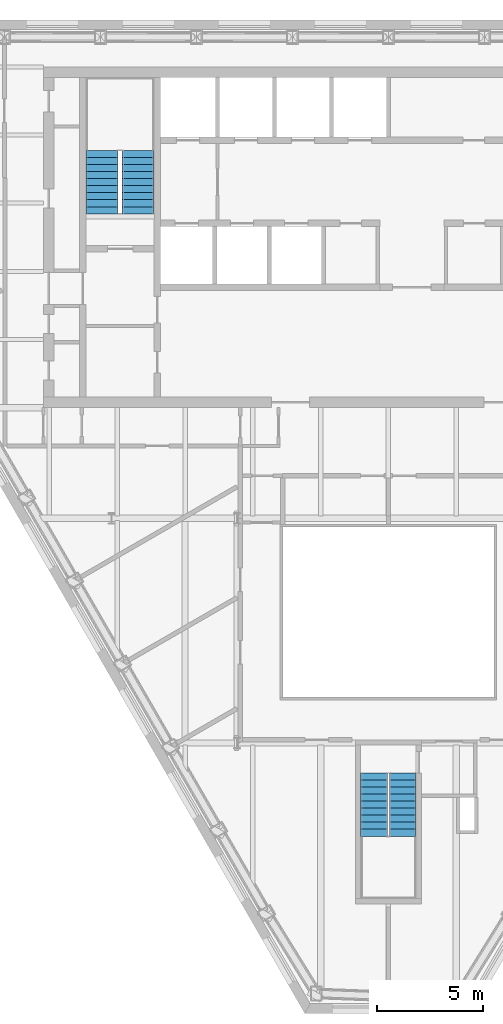
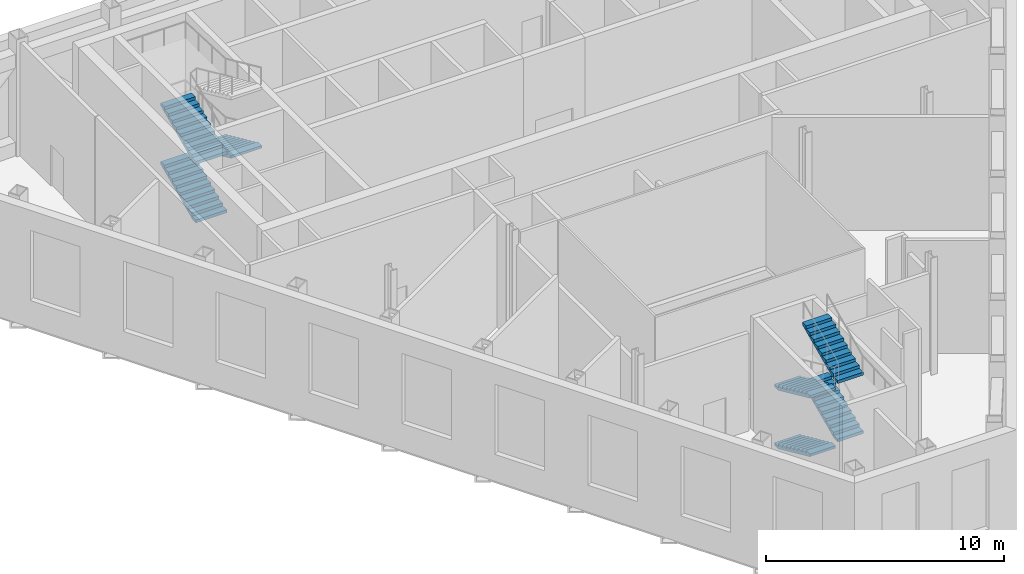
# One storey, part 11 of 13: 7 stair flights, 2 elements without a shape of their own.
"""IFC4 building model written with IfcOpenShell, lengths in metres."""

from ifc_helpers import new_model, si_unit, direction, frame, origin, place, context, subcontext, project, spatial, polygons, material, type_object, element, aggregate, save


model = new_model("IFC4")

# Units and contexts
model_context = context("Model", 3, precision=1e-05, world=origin(), true_north=direction((0.0, 1.0)))
body_context = subcontext(model_context, "Body", "Model", "MODEL_VIEW")
ifc_project = project(units=[si_unit("LENGTHUNIT", "METRE"), si_unit("AREAUNIT", "SQUARE_METRE"), si_unit("VOLUMEUNIT", "CUBIC_METRE"), si_unit("PLANEANGLEUNIT", "RADIAN"), si_unit("MASSUNIT", "GRAM", prefix="KILO")], contexts=[model_context])

# Site, building, storey
site_placement = place(None, origin())
site = spatial("IfcSite", under=ifc_project, at=site_placement, CompositionType="ELEMENT")
building_placement = place(site_placement, origin())
building = spatial("IfcBuilding", under=site, at=building_placement, Name="Njiva Tower", CompositionType="ELEMENT")
storey_placement = place(building_placement, frame((0.0, 0.0, 186.6)))
storey = spatial("IfcBuildingStorey", under=building, at=storey_placement, Name="L41", CompositionType="ELEMENT", Elevation=186.6)

# Stair, stair flights
ifc_material = material(Name="Concrete C40/50", Category="concrete")
stair_type_1 = type_object("IfcStairType", Name="ST1 Exit stair 1250", PredefinedType="HALF_TURN_STAIR", material=ifc_material)
stair_1_placement = place(storey_placement, origin())
stair_1 = element("IfcStair", 1, at=stair_1_placement, inside=storey, type_object=stair_type_1, Name="Stair C", PredefinedType="DOUBLE_RETURN_STAIR")
stair_flight_type_1 = type_object("IfcStairFlightType", Name="FL1 Stair flight 1250", PredefinedType="STRAIGHT", material=ifc_material)
stair_flight_1_placement = place(storey_placement, frame((-0.675, -15.16, 0.0), z_axis=(0.0, 0.0, 1.0), x_axis=(0.0, -1.0, 0.0)))
stair_flight_1 = element("IfcStairFlight", 2, at=stair_flight_1_placement, type_object=stair_flight_type_1, Name="ST-C flight 1", NumberOfRisers=10, NumberOfTreads=9, PredefinedType="STRAIGHT", RiserHeight=0.15, TreadLength=0.33, context=body_context, shape_type="Tessellation", body=[
    polygons([(0.0, 0.625, 0.0), (0.0, 0.3125, 0.0), (0.0, 0.0, 0.0), (0.0, -0.3125, 0.0), (0.0, -0.625, 0.0), (0.0, 0.625, 0.15), (0.0, 0.3125, 0.15), (0.0, 0.0, 0.15), (0.0, -0.3125, 0.15), (0.0, -0.625, 0.15), (0.33, 0.625, 0.15), (0.33, 0.3125, 0.15), (0.33, 0.0, 0.15), (0.33, -0.3125, 0.15), (0.33, -0.625, 0.15), (0.33, 0.625, 0.3), (0.33, 0.3125, 0.3), (0.33, 0.0, 0.3), (0.33, -0.3125, 0.3), (0.33, -0.625, 0.3), (0.66, 0.625, 0.3), (0.66, 0.3125, 0.3), (0.66, 0.0, 0.3), (0.66, -0.3125, 0.3), (0.66, -0.625, 0.3), (0.66, 0.625, 0.45), (0.66, 0.3125, 0.45), (0.66, 0.0, 0.45), (0.66, -0.3125, 0.45), (0.66, -0.625, 0.45), (0.99, 0.625, 0.45), (0.99, 0.3125, 0.45), (0.99, 0.0, 0.45), (0.99, -0.3125, 0.45), (0.99, -0.625, 0.45), (0.99, 0.625, 0.6), (0.99, 0.3125, 0.6), (0.99, 0.0, 0.6), (0.99, -0.3125, 0.6), (0.99, -0.625, 0.6), (1.32, 0.625, 0.6), (1.32, 0.3125, 0.6), (1.32, 0.0, 0.6), (1.32, -0.3125, 0.6), (1.32, -0.625, 0.6), (1.32, 0.625, 0.75), (1.32, 0.3125, 0.75), (1.32, 0.0, 0.75), (1.32, -0.3125, 0.75), (1.32, -0.625, 0.75), (1.65, 0.625, 0.75), (1.65, 0.3125, 0.75), (1.65, 0.0, 0.75), (1.65, -0.3125, 0.75), (1.65, -0.625, 0.75), (1.65, 0.625, 0.9), (1.65, 0.3125, 0.9), (1.65, 0.0, 0.9), (1.65, -0.3125, 0.9), (1.65, -0.625, 0.9), (1.98, 0.625, 0.9), (1.98, 0.3125, 0.9), (1.98, 0.0, 0.9), (1.98, -0.3125, 0.9), (1.98, -0.625, 0.9), (1.98, 0.625, 1.05), (1.98, 0.3125, 1.05), (1.98, 0.0, 1.05), (1.98, -0.3125, 1.05), (1.98, -0.625, 1.05), (2.31, 0.625, 1.05), (2.31, 0.3125, 1.05), (2.31, 0.0, 1.05), (2.31, -0.3125, 1.05), (2.31, -0.625, 1.05), (2.31, 0.625, 1.2), (2.31, 0.3125, 1.2), (2.31, 0.0, 1.2), (2.31, -0.3125, 1.2), (2.31, -0.625, 1.2), (2.64, 0.625, 1.2), (2.64, 0.3125, 1.2), (2.64, 0.0, 1.2), (2.64, -0.3125, 1.2), (2.64, -0.625, 1.2), (2.64, 0.625, 1.35), (2.64, 0.3125, 1.35), (2.64, 0.0, 1.35), (2.64, -0.3125, 1.35), (2.64, -0.625, 1.35), (2.97, 0.625, 1.35), (2.97, 0.3125, 1.35), (2.97, 0.0, 1.35), (2.97, -0.3125, 1.35), (2.97, -0.625, 1.35), (2.97, 0.625, 1.2182), (2.97, 0.3125, 1.2182), (2.97, 0.0, 1.2182), (2.97, -0.3125, 1.2182), (2.97, -0.625, 1.2182), (0.29, 0.625, 0.0), (0.29, 0.3125, 0.0), (0.29, 0.0, 0.0), (0.29, -0.3125, 0.0), (0.29, -0.625, 0.0)], [[[1, 6, 11, 16, 21, 26, 31, 36, 41, 46, 51, 56, 61, 66, 71, 76, 81, 86, 91, 96, 101]], [[105, 100, 95, 90, 85, 80, 75, 70, 65, 60, 55, 50, 45, 40, 35, 30, 25, 20, 15, 10, 5]], [[6, 1, 2, 7]], [[7, 2, 3, 8]], [[8, 3, 4, 9]], [[9, 4, 5, 10]], [[11, 6, 7, 12]], [[12, 7, 8, 13]], [[13, 8, 9, 14]], [[14, 9, 10, 15]], [[16, 11, 12, 17]], [[17, 12, 13, 18]], [[18, 13, 14, 19]], [[19, 14, 15, 20]], [[21, 16, 17, 22]], [[22, 17, 18, 23]], [[23, 18, 19, 24]], [[24, 19, 20, 25]], [[26, 21, 22, 27]], [[27, 22, 23, 28]], [[28, 23, 24, 29]], [[29, 24, 25, 30]], [[31, 26, 27, 32]], [[32, 27, 28, 33]], [[33, 28, 29, 34]], [[34, 29, 30, 35]], [[36, 31, 32, 37]], [[37, 32, 33, 38]], [[38, 33, 34, 39]], [[39, 34, 35, 40]], [[41, 36, 37, 42]], [[42, 37, 38, 43]], [[43, 38, 39, 44]], [[44, 39, 40, 45]], [[46, 41, 42, 47]], [[47, 42, 43, 48]], [[48, 43, 44, 49]], [[49, 44, 45, 50]], [[51, 46, 47, 52]], [[52, 47, 48, 53]], [[53, 48, 49, 54]], [[54, 49, 50, 55]], [[56, 51, 52, 57]], [[57, 52, 53, 58]], [[58, 53, 54, 59]], [[59, 54, 55, 60]], [[61, 56, 57, 62]], [[62, 57, 58, 63]], [[63, 58, 59, 64]], [[64, 59, 60, 65]], [[66, 61, 62, 67]], [[67, 62, 63, 68]], [[68, 63, 64, 69]], [[69, 64, 65, 70]], [[71, 66, 67, 72]], [[72, 67, 68, 73]], [[73, 68, 69, 74]], [[74, 69, 70, 75]], [[76, 71, 72, 77]], [[77, 72, 73, 78]], [[78, 73, 74, 79]], [[79, 74, 75, 80]], [[81, 76, 77, 82]], [[82, 77, 78, 83]], [[83, 78, 79, 84]], [[84, 79, 80, 85]], [[86, 81, 82, 87]], [[87, 82, 83, 88]], [[88, 83, 84, 89]], [[89, 84, 85, 90]], [[91, 86, 87, 92]], [[92, 87, 88, 93]], [[93, 88, 89, 94]], [[94, 89, 90, 95]], [[96, 91, 92, 97]], [[97, 92, 93, 98]], [[98, 93, 94, 99]], [[99, 94, 95, 100]], [[101, 96, 97, 102]], [[102, 97, 98, 103]], [[103, 98, 99, 104]], [[104, 99, 100, 105]], [[1, 101, 102, 2]], [[2, 102, 103, 3]], [[3, 103, 104, 4]], [[4, 104, 105, 5]]], closed=True),
])
stair_flight_2_placement = place(storey_placement, frame((0.675, -18.13, 1.5), z_axis=(0.0, 0.0, 1.0), x_axis=(0.0, 1.0, 0.0)))
stair_flight_2 = element("IfcStairFlight", 3, at=stair_flight_2_placement, type_object=stair_flight_type_1, Name="ST-C flight 2", NumberOfRisers=10, NumberOfTreads=9, PredefinedType="STRAIGHT", RiserHeight=0.15, TreadLength=0.33, context=body_context, shape_type="Tessellation", body=[
    polygons([(0.0, 0.625, 0.0), (0.0, 0.3125, 0.0), (0.0, 0.0, 0.0), (0.0, -0.3125, 0.0), (0.0, -0.625, 0.0), (0.0, 0.625, 0.15), (0.0, 0.3125, 0.15), (0.0, 0.0, 0.15), (0.0, -0.3125, 0.15), (0.0, -0.625, 0.15), (0.33, 0.625, 0.15), (0.33, 0.3125, 0.15), (0.33, 0.0, 0.15), (0.33, -0.3125, 0.15), (0.33, -0.625, 0.15), (0.33, 0.625, 0.3), (0.33, 0.3125, 0.3), (0.33, 0.0, 0.3), (0.33, -0.3125, 0.3), (0.33, -0.625, 0.3), (0.66, 0.625, 0.3), (0.66, 0.3125, 0.3), (0.66, 0.0, 0.3), (0.66, -0.3125, 0.3), (0.66, -0.625, 0.3), (0.66, 0.625, 0.45), (0.66, 0.3125, 0.45), (0.66, 0.0, 0.45), (0.66, -0.3125, 0.45), (0.66, -0.625, 0.45), (0.99, 0.625, 0.45), (0.99, 0.3125, 0.45), (0.99, 0.0, 0.45), (0.99, -0.3125, 0.45), (0.99, -0.625, 0.45), (0.99, 0.625, 0.6), (0.99, 0.3125, 0.6), (0.99, 0.0, 0.6), (0.99, -0.3125, 0.6), (0.99, -0.625, 0.6), (1.32, 0.625, 0.6), (1.32, 0.3125, 0.6), (1.32, 0.0, 0.6), (1.32, -0.3125, 0.6), (1.32, -0.625, 0.6), (1.32, 0.625, 0.75), (1.32, 0.3125, 0.75), (1.32, 0.0, 0.75), (1.32, -0.3125, 0.75), (1.32, -0.625, 0.75), (1.65, 0.625, 0.75), (1.65, 0.3125, 0.75), (1.65, 0.0, 0.75), (1.65, -0.3125, 0.75), (1.65, -0.625, 0.75), (1.65, 0.625, 0.9), (1.65, 0.3125, 0.9), (1.65, 0.0, 0.9), (1.65, -0.3125, 0.9), (1.65, -0.625, 0.9), (1.98, 0.625, 0.9), (1.98, 0.3125, 0.9), (1.98, 0.0, 0.9), (1.98, -0.3125, 0.9), (1.98, -0.625, 0.9), (1.98, 0.625, 1.05), (1.98, 0.3125, 1.05), (1.98, 0.0, 1.05), (1.98, -0.3125, 1.05), (1.98, -0.625, 1.05), (2.31, 0.625, 1.05), (2.31, 0.3125, 1.05), (2.31, 0.0, 1.05), (2.31, -0.3125, 1.05), (2.31, -0.625, 1.05), (2.31, 0.625, 1.2), (2.31, 0.3125, 1.2), (2.31, 0.0, 1.2), (2.31, -0.3125, 1.2), (2.31, -0.625, 1.2), (2.64, 0.625, 1.2), (2.64, 0.3125, 1.2), (2.64, 0.0, 1.2), (2.64, -0.3125, 1.2), (2.64, -0.625, 1.2), (2.64, 0.625, 1.35), (2.64, 0.3125, 1.35), (2.64, 0.0, 1.35), (2.64, -0.3125, 1.35), (2.64, -0.625, 1.35), (2.97, 0.625, 1.35), (2.97, 0.3125, 1.35), (2.97, 0.0, 1.35), (2.97, -0.3125, 1.35), (2.97, -0.625, 1.35), (2.97, 0.625, 1.2182), (2.97, 0.3125, 1.2182), (2.97, 0.0, 1.2182), (2.97, -0.3125, 1.2182), (2.97, -0.625, 1.2182), (0.29, 0.625, 0.0), (0.29, 0.3125, 0.0), (0.29, 0.0, 0.0), (0.29, -0.3125, 0.0), (0.29, -0.625, 0.0)], [[[1, 6, 11, 16, 21, 26, 31, 36, 41, 46, 51, 56, 61, 66, 71, 76, 81, 86, 91, 96, 101]], [[105, 100, 95, 90, 85, 80, 75, 70, 65, 60, 55, 50, 45, 40, 35, 30, 25, 20, 15, 10, 5]], [[6, 1, 2, 7]], [[7, 2, 3, 8]], [[8, 3, 4, 9]], [[9, 4, 5, 10]], [[11, 6, 7, 12]], [[12, 7, 8, 13]], [[13, 8, 9, 14]], [[14, 9, 10, 15]], [[16, 11, 12, 17]], [[17, 12, 13, 18]], [[18, 13, 14, 19]], [[19, 14, 15, 20]], [[21, 16, 17, 22]], [[22, 17, 18, 23]], [[23, 18, 19, 24]], [[24, 19, 20, 25]], [[26, 21, 22, 27]], [[27, 22, 23, 28]], [[28, 23, 24, 29]], [[29, 24, 25, 30]], [[31, 26, 27, 32]], [[32, 27, 28, 33]], [[33, 28, 29, 34]], [[34, 29, 30, 35]], [[36, 31, 32, 37]], [[37, 32, 33, 38]], [[38, 33, 34, 39]], [[39, 34, 35, 40]], [[41, 36, 37, 42]], [[42, 37, 38, 43]], [[43, 38, 39, 44]], [[44, 39, 40, 45]], [[46, 41, 42, 47]], [[47, 42, 43, 48]], [[48, 43, 44, 49]], [[49, 44, 45, 50]], [[51, 46, 47, 52]], [[52, 47, 48, 53]], [[53, 48, 49, 54]], [[54, 49, 50, 55]], [[56, 51, 52, 57]], [[57, 52, 53, 58]], [[58, 53, 54, 59]], [[59, 54, 55, 60]], [[61, 56, 57, 62]], [[62, 57, 58, 63]], [[63, 58, 59, 64]], [[64, 59, 60, 65]], [[66, 61, 62, 67]], [[67, 62, 63, 68]], [[68, 63, 64, 69]], [[69, 64, 65, 70]], [[71, 66, 67, 72]], [[72, 67, 68, 73]], [[73, 68, 69, 74]], [[74, 69, 70, 75]], [[76, 71, 72, 77]], [[77, 72, 73, 78]], [[78, 73, 74, 79]], [[79, 74, 75, 80]], [[81, 76, 77, 82]], [[82, 77, 78, 83]], [[83, 78, 79, 84]], [[84, 79, 80, 85]], [[86, 81, 82, 87]], [[87, 82, 83, 88]], [[88, 83, 84, 89]], [[89, 84, 85, 90]], [[91, 86, 87, 92]], [[92, 87, 88, 93]], [[93, 88, 89, 94]], [[94, 89, 90, 95]], [[96, 91, 92, 97]], [[97, 92, 93, 98]], [[98, 93, 94, 99]], [[99, 94, 95, 100]], [[101, 96, 97, 102]], [[102, 97, 98, 103]], [[103, 98, 99, 104]], [[104, 99, 100, 105]], [[1, 101, 102, 2]], [[2, 102, 103, 3]], [[3, 103, 104, 4]], [[4, 104, 105, 5]]], closed=True),
])
stair_flight_3_placement = place(storey_placement, frame((-0.675, -15.16, 3.0), z_axis=(0.0, 0.0, 1.0), x_axis=(0.0, -1.0, 0.0)))
stair_flight_3 = element("IfcStairFlight", 4, at=stair_flight_3_placement, type_object=stair_flight_type_1, Name="ST-C flight 3", NumberOfRisers=10, NumberOfTreads=9, PredefinedType="STRAIGHT", RiserHeight=0.15, TreadLength=0.33, context=body_context, shape_type="Tessellation", body=[
    polygons([(0.0, 0.625, 0.0), (0.0, 0.3125, 0.0), (0.0, 0.0, 0.0), (0.0, -0.3125, 0.0), (0.0, -0.625, 0.0), (0.0, 0.625, 0.15), (0.0, 0.3125, 0.15), (0.0, 0.0, 0.15), (0.0, -0.3125, 0.15), (0.0, -0.625, 0.15), (0.33, 0.625, 0.15), (0.33, 0.3125, 0.15), (0.33, 0.0, 0.15), (0.33, -0.3125, 0.15), (0.33, -0.625, 0.15), (0.33, 0.625, 0.3), (0.33, 0.3125, 0.3), (0.33, 0.0, 0.3), (0.33, -0.3125, 0.3), (0.33, -0.625, 0.3), (0.66, 0.625, 0.3), (0.66, 0.3125, 0.3), (0.66, 0.0, 0.3), (0.66, -0.3125, 0.3), (0.66, -0.625, 0.3), (0.66, 0.625, 0.45), (0.66, 0.3125, 0.45), (0.66, 0.0, 0.45), (0.66, -0.3125, 0.45), (0.66, -0.625, 0.45), (0.99, 0.625, 0.45), (0.99, 0.3125, 0.45), (0.99, 0.0, 0.45), (0.99, -0.3125, 0.45), (0.99, -0.625, 0.45), (0.99, 0.625, 0.6), (0.99, 0.3125, 0.6), (0.99, 0.0, 0.6), (0.99, -0.3125, 0.6), (0.99, -0.625, 0.6), (1.32, 0.625, 0.6), (1.32, 0.3125, 0.6), (1.32, 0.0, 0.6), (1.32, -0.3125, 0.6), (1.32, -0.625, 0.6), (1.32, 0.625, 0.75), (1.32, 0.3125, 0.75), (1.32, 0.0, 0.75), (1.32, -0.3125, 0.75), (1.32, -0.625, 0.75), (1.65, 0.625, 0.75), (1.65, 0.3125, 0.75), (1.65, 0.0, 0.75), (1.65, -0.3125, 0.75), (1.65, -0.625, 0.75), (1.65, 0.625, 0.9), (1.65, 0.3125, 0.9), (1.65, 0.0, 0.9), (1.65, -0.3125, 0.9), (1.65, -0.625, 0.9), (1.98, 0.625, 0.9), (1.98, 0.3125, 0.9), (1.98, 0.0, 0.9), (1.98, -0.3125, 0.9), (1.98, -0.625, 0.9), (1.98, 0.625, 1.05), (1.98, 0.3125, 1.05), (1.98, 0.0, 1.05), (1.98, -0.3125, 1.05), (1.98, -0.625, 1.05), (2.31, 0.625, 1.05), (2.31, 0.3125, 1.05), (2.31, 0.0, 1.05), (2.31, -0.3125, 1.05), (2.31, -0.625, 1.05), (2.31, 0.625, 1.2), (2.31, 0.3125, 1.2), (2.31, 0.0, 1.2), (2.31, -0.3125, 1.2), (2.31, -0.625, 1.2), (2.64, 0.625, 1.2), (2.64, 0.3125, 1.2), (2.64, 0.0, 1.2), (2.64, -0.3125, 1.2), (2.64, -0.625, 1.2), (2.64, 0.625, 1.35), (2.64, 0.3125, 1.35), (2.64, 0.0, 1.35), (2.64, -0.3125, 1.35), (2.64, -0.625, 1.35), (2.97, 0.625, 1.35), (2.97, 0.3125, 1.35), (2.97, 0.0, 1.35), (2.97, -0.3125, 1.35), (2.97, -0.625, 1.35), (2.97, 0.625, 1.2182), (2.97, 0.3125, 1.2182), (2.97, 0.0, 1.2182), (2.97, -0.3125, 1.2182), (2.97, -0.625, 1.2182), (0.29, 0.625, 0.0), (0.29, 0.3125, 0.0), (0.29, 0.0, 0.0), (0.29, -0.3125, 0.0), (0.29, -0.625, 0.0)], [[[1, 6, 11, 16, 21, 26, 31, 36, 41, 46, 51, 56, 61, 66, 71, 76, 81, 86, 91, 96, 101]], [[105, 100, 95, 90, 85, 80, 75, 70, 65, 60, 55, 50, 45, 40, 35, 30, 25, 20, 15, 10, 5]], [[6, 1, 2, 7]], [[7, 2, 3, 8]], [[8, 3, 4, 9]], [[9, 4, 5, 10]], [[11, 6, 7, 12]], [[12, 7, 8, 13]], [[13, 8, 9, 14]], [[14, 9, 10, 15]], [[16, 11, 12, 17]], [[17, 12, 13, 18]], [[18, 13, 14, 19]], [[19, 14, 15, 20]], [[21, 16, 17, 22]], [[22, 17, 18, 23]], [[23, 18, 19, 24]], [[24, 19, 20, 25]], [[26, 21, 22, 27]], [[27, 22, 23, 28]], [[28, 23, 24, 29]], [[29, 24, 25, 30]], [[31, 26, 27, 32]], [[32, 27, 28, 33]], [[33, 28, 29, 34]], [[34, 29, 30, 35]], [[36, 31, 32, 37]], [[37, 32, 33, 38]], [[38, 33, 34, 39]], [[39, 34, 35, 40]], [[41, 36, 37, 42]], [[42, 37, 38, 43]], [[43, 38, 39, 44]], [[44, 39, 40, 45]], [[46, 41, 42, 47]], [[47, 42, 43, 48]], [[48, 43, 44, 49]], [[49, 44, 45, 50]], [[51, 46, 47, 52]], [[52, 47, 48, 53]], [[53, 48, 49, 54]], [[54, 49, 50, 55]], [[56, 51, 52, 57]], [[57, 52, 53, 58]], [[58, 53, 54, 59]], [[59, 54, 55, 60]], [[61, 56, 57, 62]], [[62, 57, 58, 63]], [[63, 58, 59, 64]], [[64, 59, 60, 65]], [[66, 61, 62, 67]], [[67, 62, 63, 68]], [[68, 63, 64, 69]], [[69, 64, 65, 70]], [[71, 66, 67, 72]], [[72, 67, 68, 73]], [[73, 68, 69, 74]], [[74, 69, 70, 75]], [[76, 71, 72, 77]], [[77, 72, 73, 78]], [[78, 73, 74, 79]], [[79, 74, 75, 80]], [[81, 76, 77, 82]], [[82, 77, 78, 83]], [[83, 78, 79, 84]], [[84, 79, 80, 85]], [[86, 81, 82, 87]], [[87, 82, 83, 88]], [[88, 83, 84, 89]], [[89, 84, 85, 90]], [[91, 86, 87, 92]], [[92, 87, 88, 93]], [[93, 88, 89, 94]], [[94, 89, 90, 95]], [[96, 91, 92, 97]], [[97, 92, 93, 98]], [[98, 93, 94, 99]], [[99, 94, 95, 100]], [[101, 96, 97, 102]], [[102, 97, 98, 103]], [[103, 98, 99, 104]], [[104, 99, 100, 105]], [[1, 101, 102, 2]], [[2, 102, 103, 3]], [[3, 103, 104, 4]], [[4, 104, 105, 5]]], closed=True),
])
stair_flight_4_placement = place(storey_placement, frame((0.675, -18.13, 4.5), z_axis=(0.0, 0.0, 1.0), x_axis=(0.0, 1.0, 0.0)))
stair_flight_4 = element("IfcStairFlight", 5, at=stair_flight_4_placement, type_object=stair_flight_type_1, Name="ST-C flight 4", NumberOfRisers=10, NumberOfTreads=9, PredefinedType="STRAIGHT", RiserHeight=0.15, TreadLength=0.33, context=body_context, shape_type="Tessellation", body=[
    polygons([(0.0, 0.625, 0.0), (0.0, 0.3125, 0.0), (0.0, 0.0, 0.0), (0.0, -0.3125, 0.0), (0.0, -0.625, 0.0), (0.0, 0.625, 0.15), (0.0, 0.3125, 0.15), (0.0, 0.0, 0.15), (0.0, -0.3125, 0.15), (0.0, -0.625, 0.15), (0.33, 0.625, 0.15), (0.33, 0.3125, 0.15), (0.33, 0.0, 0.15), (0.33, -0.3125, 0.15), (0.33, -0.625, 0.15), (0.33, 0.625, 0.3), (0.33, 0.3125, 0.3), (0.33, 0.0, 0.3), (0.33, -0.3125, 0.3), (0.33, -0.625, 0.3), (0.66, 0.625, 0.3), (0.66, 0.3125, 0.3), (0.66, 0.0, 0.3), (0.66, -0.3125, 0.3), (0.66, -0.625, 0.3), (0.66, 0.625, 0.45), (0.66, 0.3125, 0.45), (0.66, 0.0, 0.45), (0.66, -0.3125, 0.45), (0.66, -0.625, 0.45), (0.99, 0.625, 0.45), (0.99, 0.3125, 0.45), (0.99, 0.0, 0.45), (0.99, -0.3125, 0.45), (0.99, -0.625, 0.45), (0.99, 0.625, 0.6), (0.99, 0.3125, 0.6), (0.99, 0.0, 0.6), (0.99, -0.3125, 0.6), (0.99, -0.625, 0.6), (1.32, 0.625, 0.6), (1.32, 0.3125, 0.6), (1.32, 0.0, 0.6), (1.32, -0.3125, 0.6), (1.32, -0.625, 0.6), (1.32, 0.625, 0.75), (1.32, 0.3125, 0.75), (1.32, 0.0, 0.75), (1.32, -0.3125, 0.75), (1.32, -0.625, 0.75), (1.65, 0.625, 0.75), (1.65, 0.3125, 0.75), (1.65, 0.0, 0.75), (1.65, -0.3125, 0.75), (1.65, -0.625, 0.75), (1.65, 0.625, 0.9), (1.65, 0.3125, 0.9), (1.65, 0.0, 0.9), (1.65, -0.3125, 0.9), (1.65, -0.625, 0.9), (1.98, 0.625, 0.9), (1.98, 0.3125, 0.9), (1.98, 0.0, 0.9), (1.98, -0.3125, 0.9), (1.98, -0.625, 0.9), (1.98, 0.625, 1.05), (1.98, 0.3125, 1.05), (1.98, 0.0, 1.05), (1.98, -0.3125, 1.05), (1.98, -0.625, 1.05), (2.31, 0.625, 1.05), (2.31, 0.3125, 1.05), (2.31, 0.0, 1.05), (2.31, -0.3125, 1.05), (2.31, -0.625, 1.05), (2.31, 0.625, 1.2), (2.31, 0.3125, 1.2), (2.31, 0.0, 1.2), (2.31, -0.3125, 1.2), (2.31, -0.625, 1.2), (2.64, 0.625, 1.2), (2.64, 0.3125, 1.2), (2.64, 0.0, 1.2), (2.64, -0.3125, 1.2), (2.64, -0.625, 1.2), (2.64, 0.625, 1.35), (2.64, 0.3125, 1.35), (2.64, 0.0, 1.35), (2.64, -0.3125, 1.35), (2.64, -0.625, 1.35), (2.97, 0.625, 1.35), (2.97, 0.3125, 1.35), (2.97, 0.0, 1.35), (2.97, -0.3125, 1.35), (2.97, -0.625, 1.35), (2.97, 0.625, 1.2182), (2.97, 0.3125, 1.2182), (2.97, 0.0, 1.2182), (2.97, -0.3125, 1.2182), (2.97, -0.625, 1.2182), (0.29, 0.625, 0.0), (0.29, 0.3125, 0.0), (0.29, 0.0, 0.0), (0.29, -0.3125, 0.0), (0.29, -0.625, 0.0)], [[[1, 6, 11, 16, 21, 26, 31, 36, 41, 46, 51, 56, 61, 66, 71, 76, 81, 86, 91, 96, 101]], [[105, 100, 95, 90, 85, 80, 75, 70, 65, 60, 55, 50, 45, 40, 35, 30, 25, 20, 15, 10, 5]], [[6, 1, 2, 7]], [[7, 2, 3, 8]], [[8, 3, 4, 9]], [[9, 4, 5, 10]], [[11, 6, 7, 12]], [[12, 7, 8, 13]], [[13, 8, 9, 14]], [[14, 9, 10, 15]], [[16, 11, 12, 17]], [[17, 12, 13, 18]], [[18, 13, 14, 19]], [[19, 14, 15, 20]], [[21, 16, 17, 22]], [[22, 17, 18, 23]], [[23, 18, 19, 24]], [[24, 19, 20, 25]], [[26, 21, 22, 27]], [[27, 22, 23, 28]], [[28, 23, 24, 29]], [[29, 24, 25, 30]], [[31, 26, 27, 32]], [[32, 27, 28, 33]], [[33, 28, 29, 34]], [[34, 29, 30, 35]], [[36, 31, 32, 37]], [[37, 32, 33, 38]], [[38, 33, 34, 39]], [[39, 34, 35, 40]], [[41, 36, 37, 42]], [[42, 37, 38, 43]], [[43, 38, 39, 44]], [[44, 39, 40, 45]], [[46, 41, 42, 47]], [[47, 42, 43, 48]], [[48, 43, 44, 49]], [[49, 44, 45, 50]], [[51, 46, 47, 52]], [[52, 47, 48, 53]], [[53, 48, 49, 54]], [[54, 49, 50, 55]], [[56, 51, 52, 57]], [[57, 52, 53, 58]], [[58, 53, 54, 59]], [[59, 54, 55, 60]], [[61, 56, 57, 62]], [[62, 57, 58, 63]], [[63, 58, 59, 64]], [[64, 59, 60, 65]], [[66, 61, 62, 67]], [[67, 62, 63, 68]], [[68, 63, 64, 69]], [[69, 64, 65, 70]], [[71, 66, 67, 72]], [[72, 67, 68, 73]], [[73, 68, 69, 74]], [[74, 69, 70, 75]], [[76, 71, 72, 77]], [[77, 72, 73, 78]], [[78, 73, 74, 79]], [[79, 74, 75, 80]], [[81, 76, 77, 82]], [[82, 77, 78, 83]], [[83, 78, 79, 84]], [[84, 79, 80, 85]], [[86, 81, 82, 87]], [[87, 82, 83, 88]], [[88, 83, 84, 89]], [[89, 84, 85, 90]], [[91, 86, 87, 92]], [[92, 87, 88, 93]], [[93, 88, 89, 94]], [[94, 89, 90, 95]], [[96, 91, 92, 97]], [[97, 92, 93, 98]], [[98, 93, 94, 99]], [[99, 94, 95, 100]], [[101, 96, 97, 102]], [[102, 97, 98, 103]], [[103, 98, 99, 104]], [[104, 99, 100, 105]], [[1, 101, 102, 2]], [[2, 102, 103, 3]], [[3, 103, 104, 4]], [[4, 104, 105, 5]]], closed=True),
])
aggregate(stair_1, [stair_flight_1, stair_flight_2, stair_flight_3, stair_flight_4])

stair_type_2 = type_object("IfcStairType", Name="ST4 Exit stair 1500", PredefinedType="HALF_TURN_STAIR", material=ifc_material)
stair_2_placement = place(storey_placement, origin())
stair_2 = element("IfcStair", 6, at=stair_2_placement, inside=storey, type_object=stair_type_2, Name="Stair A", PredefinedType="DOUBLE_RETURN_STAIR")
stair_flight_type_2 = type_object("IfcStairFlightType", Name="FL4 Stair flight 1500", PredefinedType="STRAIGHT", material=ifc_material)
stair_flight_5_placement = place(storey_placement, frame((-13.45, 11.1, 0.0), z_axis=(0.0, 0.0, 1.0), x_axis=(0.0, 1.0, 0.0)))
stair_flight_5 = element("IfcStairFlight", 7, at=stair_flight_5_placement, type_object=stair_flight_type_2, Name="ST-A flight 1", NumberOfRisers=10, NumberOfTreads=9, PredefinedType="STRAIGHT", RiserHeight=0.15, TreadLength=0.33, context=body_context, shape_type="Tessellation", body=[
    polygons([(0.0, 0.75, 0.0), (0.0, 0.375, 0.0), (0.0, 0.0, 0.0), (0.0, -0.375, 0.0), (0.0, -0.75, 0.0), (0.0, 0.75, 0.15), (0.0, 0.375, 0.15), (0.0, 0.0, 0.15), (0.0, -0.375, 0.15), (0.0, -0.75, 0.15), (0.33, 0.75, 0.15), (0.33, 0.375, 0.15), (0.33, 0.0, 0.15), (0.33, -0.375, 0.15), (0.33, -0.75, 0.15), (0.33, 0.75, 0.3), (0.33, 0.375, 0.3), (0.33, 0.0, 0.3), (0.33, -0.375, 0.3), (0.33, -0.75, 0.3), (0.66, 0.75, 0.3), (0.66, 0.375, 0.3), (0.66, 0.0, 0.3), (0.66, -0.375, 0.3), (0.66, -0.75, 0.3), (0.66, 0.75, 0.45), (0.66, 0.375, 0.45), (0.66, 0.0, 0.45), (0.66, -0.375, 0.45), (0.66, -0.75, 0.45), (0.99, 0.75, 0.45), (0.99, 0.375, 0.45), (0.99, 0.0, 0.45), (0.99, -0.375, 0.45), (0.99, -0.75, 0.45), (0.99, 0.75, 0.6), (0.99, 0.375, 0.6), (0.99, 0.0, 0.6), (0.99, -0.375, 0.6), (0.99, -0.75, 0.6), (1.32, 0.75, 0.6), (1.32, 0.375, 0.6), (1.32, 0.0, 0.6), (1.32, -0.375, 0.6), (1.32, -0.75, 0.6), (1.32, 0.75, 0.75), (1.32, 0.375, 0.75), (1.32, 0.0, 0.75), (1.32, -0.375, 0.75), (1.32, -0.75, 0.75), (1.65, 0.75, 0.75), (1.65, 0.375, 0.75), (1.65, 0.0, 0.75), (1.65, -0.375, 0.75), (1.65, -0.75, 0.75), (1.65, 0.75, 0.9), (1.65, 0.375, 0.9), (1.65, 0.0, 0.9), (1.65, -0.375, 0.9), (1.65, -0.75, 0.9), (1.98, 0.75, 0.9), (1.98, 0.375, 0.9), (1.98, 0.0, 0.9), (1.98, -0.375, 0.9), (1.98, -0.75, 0.9), (1.98, 0.75, 1.05), (1.98, 0.375, 1.05), (1.98, 0.0, 1.05), (1.98, -0.375, 1.05), (1.98, -0.75, 1.05), (2.31, 0.75, 1.05), (2.31, 0.375, 1.05), (2.31, 0.0, 1.05), (2.31, -0.375, 1.05), (2.31, -0.75, 1.05), (2.31, 0.75, 1.2), (2.31, 0.375, 1.2), (2.31, 0.0, 1.2), (2.31, -0.375, 1.2), (2.31, -0.75, 1.2), (2.64, 0.75, 1.2), (2.64, 0.375, 1.2), (2.64, 0.0, 1.2), (2.64, -0.375, 1.2), (2.64, -0.75, 1.2), (2.64, 0.75, 1.35), (2.64, 0.375, 1.35), (2.64, 0.0, 1.35), (2.64, -0.375, 1.35), (2.64, -0.75, 1.35), (2.97, 0.75, 1.35), (2.97, 0.375, 1.35), (2.97, 0.0, 1.35), (2.97, -0.375, 1.35), (2.97, -0.75, 1.35), (2.97, 0.75, 1.2182), (2.97, 0.375, 1.2182), (2.97, 0.0, 1.2182), (2.97, -0.375, 1.2182), (2.97, -0.75, 1.2182), (0.29, 0.75, 0.0), (0.29, 0.375, 0.0), (0.29, 0.0, 0.0), (0.29, -0.375, 0.0), (0.29, -0.75, 0.0)], [[[1, 6, 11, 16, 21, 26, 31, 36, 41, 46, 51, 56, 61, 66, 71, 76, 81, 86, 91, 96, 101]], [[105, 100, 95, 90, 85, 80, 75, 70, 65, 60, 55, 50, 45, 40, 35, 30, 25, 20, 15, 10, 5]], [[6, 1, 2, 7]], [[7, 2, 3, 8]], [[8, 3, 4, 9]], [[9, 4, 5, 10]], [[11, 6, 7, 12]], [[12, 7, 8, 13]], [[13, 8, 9, 14]], [[14, 9, 10, 15]], [[16, 11, 12, 17]], [[17, 12, 13, 18]], [[18, 13, 14, 19]], [[19, 14, 15, 20]], [[21, 16, 17, 22]], [[22, 17, 18, 23]], [[23, 18, 19, 24]], [[24, 19, 20, 25]], [[26, 21, 22, 27]], [[27, 22, 23, 28]], [[28, 23, 24, 29]], [[29, 24, 25, 30]], [[31, 26, 27, 32]], [[32, 27, 28, 33]], [[33, 28, 29, 34]], [[34, 29, 30, 35]], [[36, 31, 32, 37]], [[37, 32, 33, 38]], [[38, 33, 34, 39]], [[39, 34, 35, 40]], [[41, 36, 37, 42]], [[42, 37, 38, 43]], [[43, 38, 39, 44]], [[44, 39, 40, 45]], [[46, 41, 42, 47]], [[47, 42, 43, 48]], [[48, 43, 44, 49]], [[49, 44, 45, 50]], [[51, 46, 47, 52]], [[52, 47, 48, 53]], [[53, 48, 49, 54]], [[54, 49, 50, 55]], [[56, 51, 52, 57]], [[57, 52, 53, 58]], [[58, 53, 54, 59]], [[59, 54, 55, 60]], [[61, 56, 57, 62]], [[62, 57, 58, 63]], [[63, 58, 59, 64]], [[64, 59, 60, 65]], [[66, 61, 62, 67]], [[67, 62, 63, 68]], [[68, 63, 64, 69]], [[69, 64, 65, 70]], [[71, 66, 67, 72]], [[72, 67, 68, 73]], [[73, 68, 69, 74]], [[74, 69, 70, 75]], [[76, 71, 72, 77]], [[77, 72, 73, 78]], [[78, 73, 74, 79]], [[79, 74, 75, 80]], [[81, 76, 77, 82]], [[82, 77, 78, 83]], [[83, 78, 79, 84]], [[84, 79, 80, 85]], [[86, 81, 82, 87]], [[87, 82, 83, 88]], [[88, 83, 84, 89]], [[89, 84, 85, 90]], [[91, 86, 87, 92]], [[92, 87, 88, 93]], [[93, 88, 89, 94]], [[94, 89, 90, 95]], [[96, 91, 92, 97]], [[97, 92, 93, 98]], [[98, 93, 94, 99]], [[99, 94, 95, 100]], [[101, 96, 97, 102]], [[102, 97, 98, 103]], [[103, 98, 99, 104]], [[104, 99, 100, 105]], [[1, 101, 102, 2]], [[2, 102, 103, 3]], [[3, 103, 104, 4]], [[4, 104, 105, 5]]], closed=True),
])
stair_flight_6_placement = place(storey_placement, frame((-11.75, 14.07, 1.5), z_axis=(0.0, 0.0, 1.0), x_axis=(0.0, -1.0, 0.0)))
stair_flight_6 = element("IfcStairFlight", 8, at=stair_flight_6_placement, type_object=stair_flight_type_2, Name="ST-A flight 2", NumberOfRisers=10, NumberOfTreads=9, PredefinedType="STRAIGHT", RiserHeight=0.15, TreadLength=0.33, context=body_context, shape_type="Tessellation", body=[
    polygons([(0.0, 0.75, 0.0), (0.0, 0.375, 0.0), (0.0, 0.0, 0.0), (0.0, -0.375, 0.0), (0.0, -0.75, 0.0), (0.0, 0.75, 0.15), (0.0, 0.375, 0.15), (0.0, 0.0, 0.15), (0.0, -0.375, 0.15), (0.0, -0.75, 0.15), (0.33, 0.75, 0.15), (0.33, 0.375, 0.15), (0.33, 0.0, 0.15), (0.33, -0.375, 0.15), (0.33, -0.75, 0.15), (0.33, 0.75, 0.3), (0.33, 0.375, 0.3), (0.33, 0.0, 0.3), (0.33, -0.375, 0.3), (0.33, -0.75, 0.3), (0.66, 0.75, 0.3), (0.66, 0.375, 0.3), (0.66, 0.0, 0.3), (0.66, -0.375, 0.3), (0.66, -0.75, 0.3), (0.66, 0.75, 0.45), (0.66, 0.375, 0.45), (0.66, 0.0, 0.45), (0.66, -0.375, 0.45), (0.66, -0.75, 0.45), (0.99, 0.75, 0.45), (0.99, 0.375, 0.45), (0.99, 0.0, 0.45), (0.99, -0.375, 0.45), (0.99, -0.75, 0.45), (0.99, 0.75, 0.6), (0.99, 0.375, 0.6), (0.99, 0.0, 0.6), (0.99, -0.375, 0.6), (0.99, -0.75, 0.6), (1.32, 0.75, 0.6), (1.32, 0.375, 0.6), (1.32, 0.0, 0.6), (1.32, -0.375, 0.6), (1.32, -0.75, 0.6), (1.32, 0.75, 0.75), (1.32, 0.375, 0.75), (1.32, 0.0, 0.75), (1.32, -0.375, 0.75), (1.32, -0.75, 0.75), (1.65, 0.75, 0.75), (1.65, 0.375, 0.75), (1.65, 0.0, 0.75), (1.65, -0.375, 0.75), (1.65, -0.75, 0.75), (1.65, 0.75, 0.9), (1.65, 0.375, 0.9), (1.65, 0.0, 0.9), (1.65, -0.375, 0.9), (1.65, -0.75, 0.9), (1.98, 0.75, 0.9), (1.98, 0.375, 0.9), (1.98, 0.0, 0.9), (1.98, -0.375, 0.9), (1.98, -0.75, 0.9), (1.98, 0.75, 1.05), (1.98, 0.375, 1.05), (1.98, 0.0, 1.05), (1.98, -0.375, 1.05), (1.98, -0.75, 1.05), (2.31, 0.75, 1.05), (2.31, 0.375, 1.05), (2.31, 0.0, 1.05), (2.31, -0.375, 1.05), (2.31, -0.75, 1.05), (2.31, 0.75, 1.2), (2.31, 0.375, 1.2), (2.31, 0.0, 1.2), (2.31, -0.375, 1.2), (2.31, -0.75, 1.2), (2.64, 0.75, 1.2), (2.64, 0.375, 1.2), (2.64, 0.0, 1.2), (2.64, -0.375, 1.2), (2.64, -0.75, 1.2), (2.64, 0.75, 1.35), (2.64, 0.375, 1.35), (2.64, 0.0, 1.35), (2.64, -0.375, 1.35), (2.64, -0.75, 1.35), (2.97, 0.75, 1.35), (2.97, 0.375, 1.35), (2.97, 0.0, 1.35), (2.97, -0.375, 1.35), (2.97, -0.75, 1.35), (2.97, 0.75, 1.2182), (2.97, 0.375, 1.2182), (2.97, 0.0, 1.2182), (2.97, -0.375, 1.2182), (2.97, -0.75, 1.2182), (0.29, 0.75, 0.0), (0.29, 0.375, 0.0), (0.29, 0.0, 0.0), (0.29, -0.375, 0.0), (0.29, -0.75, 0.0)], [[[1, 6, 11, 16, 21, 26, 31, 36, 41, 46, 51, 56, 61, 66, 71, 76, 81, 86, 91, 96, 101]], [[105, 100, 95, 90, 85, 80, 75, 70, 65, 60, 55, 50, 45, 40, 35, 30, 25, 20, 15, 10, 5]], [[6, 1, 2, 7]], [[7, 2, 3, 8]], [[8, 3, 4, 9]], [[9, 4, 5, 10]], [[11, 6, 7, 12]], [[12, 7, 8, 13]], [[13, 8, 9, 14]], [[14, 9, 10, 15]], [[16, 11, 12, 17]], [[17, 12, 13, 18]], [[18, 13, 14, 19]], [[19, 14, 15, 20]], [[21, 16, 17, 22]], [[22, 17, 18, 23]], [[23, 18, 19, 24]], [[24, 19, 20, 25]], [[26, 21, 22, 27]], [[27, 22, 23, 28]], [[28, 23, 24, 29]], [[29, 24, 25, 30]], [[31, 26, 27, 32]], [[32, 27, 28, 33]], [[33, 28, 29, 34]], [[34, 29, 30, 35]], [[36, 31, 32, 37]], [[37, 32, 33, 38]], [[38, 33, 34, 39]], [[39, 34, 35, 40]], [[41, 36, 37, 42]], [[42, 37, 38, 43]], [[43, 38, 39, 44]], [[44, 39, 40, 45]], [[46, 41, 42, 47]], [[47, 42, 43, 48]], [[48, 43, 44, 49]], [[49, 44, 45, 50]], [[51, 46, 47, 52]], [[52, 47, 48, 53]], [[53, 48, 49, 54]], [[54, 49, 50, 55]], [[56, 51, 52, 57]], [[57, 52, 53, 58]], [[58, 53, 54, 59]], [[59, 54, 55, 60]], [[61, 56, 57, 62]], [[62, 57, 58, 63]], [[63, 58, 59, 64]], [[64, 59, 60, 65]], [[66, 61, 62, 67]], [[67, 62, 63, 68]], [[68, 63, 64, 69]], [[69, 64, 65, 70]], [[71, 66, 67, 72]], [[72, 67, 68, 73]], [[73, 68, 69, 74]], [[74, 69, 70, 75]], [[76, 71, 72, 77]], [[77, 72, 73, 78]], [[78, 73, 74, 79]], [[79, 74, 75, 80]], [[81, 76, 77, 82]], [[82, 77, 78, 83]], [[83, 78, 79, 84]], [[84, 79, 80, 85]], [[86, 81, 82, 87]], [[87, 82, 83, 88]], [[88, 83, 84, 89]], [[89, 84, 85, 90]], [[91, 86, 87, 92]], [[92, 87, 88, 93]], [[93, 88, 89, 94]], [[94, 89, 90, 95]], [[96, 91, 92, 97]], [[97, 92, 93, 98]], [[98, 93, 94, 99]], [[99, 94, 95, 100]], [[101, 96, 97, 102]], [[102, 97, 98, 103]], [[103, 98, 99, 104]], [[104, 99, 100, 105]], [[1, 101, 102, 2]], [[2, 102, 103, 3]], [[3, 103, 104, 4]], [[4, 104, 105, 5]]], closed=True),
])
stair_flight_7_placement = place(storey_placement, frame((-13.45, 11.1, 3.0), z_axis=(0.0, 0.0, 1.0), x_axis=(0.0, 1.0, 0.0)))
stair_flight_7 = element("IfcStairFlight", 9, at=stair_flight_7_placement, type_object=stair_flight_type_2, Name="ST-A flight 3", NumberOfRisers=10, NumberOfTreads=9, PredefinedType="STRAIGHT", RiserHeight=0.15, TreadLength=0.33, context=body_context, shape_type="Tessellation", body=[
    polygons([(0.0, 0.75, 0.0), (0.0, 0.375, 0.0), (0.0, 0.0, 0.0), (0.0, -0.375, 0.0), (0.0, -0.75, 0.0), (0.0, 0.75, 0.15), (0.0, 0.375, 0.15), (0.0, 0.0, 0.15), (0.0, -0.375, 0.15), (0.0, -0.75, 0.15), (0.33, 0.75, 0.15), (0.33, 0.375, 0.15), (0.33, 0.0, 0.15), (0.33, -0.375, 0.15), (0.33, -0.75, 0.15), (0.33, 0.75, 0.3), (0.33, 0.375, 0.3), (0.33, 0.0, 0.3), (0.33, -0.375, 0.3), (0.33, -0.75, 0.3), (0.66, 0.75, 0.3), (0.66, 0.375, 0.3), (0.66, 0.0, 0.3), (0.66, -0.375, 0.3), (0.66, -0.75, 0.3), (0.66, 0.75, 0.45), (0.66, 0.375, 0.45), (0.66, 0.0, 0.45), (0.66, -0.375, 0.45), (0.66, -0.75, 0.45), (0.99, 0.75, 0.45), (0.99, 0.375, 0.45), (0.99, 0.0, 0.45), (0.99, -0.375, 0.45), (0.99, -0.75, 0.45), (0.99, 0.75, 0.6), (0.99, 0.375, 0.6), (0.99, 0.0, 0.6), (0.99, -0.375, 0.6), (0.99, -0.75, 0.6), (1.32, 0.75, 0.6), (1.32, 0.375, 0.6), (1.32, 0.0, 0.6), (1.32, -0.375, 0.6), (1.32, -0.75, 0.6), (1.32, 0.75, 0.75), (1.32, 0.375, 0.75), (1.32, 0.0, 0.75), (1.32, -0.375, 0.75), (1.32, -0.75, 0.75), (1.65, 0.75, 0.75), (1.65, 0.375, 0.75), (1.65, 0.0, 0.75), (1.65, -0.375, 0.75), (1.65, -0.75, 0.75), (1.65, 0.75, 0.9), (1.65, 0.375, 0.9), (1.65, 0.0, 0.9), (1.65, -0.375, 0.9), (1.65, -0.75, 0.9), (1.98, 0.75, 0.9), (1.98, 0.375, 0.9), (1.98, 0.0, 0.9), (1.98, -0.375, 0.9), (1.98, -0.75, 0.9), (1.98, 0.75, 1.05), (1.98, 0.375, 1.05), (1.98, 0.0, 1.05), (1.98, -0.375, 1.05), (1.98, -0.75, 1.05), (2.31, 0.75, 1.05), (2.31, 0.375, 1.05), (2.31, 0.0, 1.05), (2.31, -0.375, 1.05), (2.31, -0.75, 1.05), (2.31, 0.75, 1.2), (2.31, 0.375, 1.2), (2.31, 0.0, 1.2), (2.31, -0.375, 1.2), (2.31, -0.75, 1.2), (2.64, 0.75, 1.2), (2.64, 0.375, 1.2), (2.64, 0.0, 1.2), (2.64, -0.375, 1.2), (2.64, -0.75, 1.2), (2.64, 0.75, 1.35), (2.64, 0.375, 1.35), (2.64, 0.0, 1.35), (2.64, -0.375, 1.35), (2.64, -0.75, 1.35), (2.97, 0.75, 1.35), (2.97, 0.375, 1.35), (2.97, 0.0, 1.35), (2.97, -0.375, 1.35), (2.97, -0.75, 1.35), (2.97, 0.75, 1.2182), (2.97, 0.375, 1.2182), (2.97, 0.0, 1.2182), (2.97, -0.375, 1.2182), (2.97, -0.75, 1.2182), (0.29, 0.75, 0.0), (0.29, 0.375, 0.0), (0.29, 0.0, 0.0), (0.29, -0.375, 0.0), (0.29, -0.75, 0.0)], [[[1, 6, 11, 16, 21, 26, 31, 36, 41, 46, 51, 56, 61, 66, 71, 76, 81, 86, 91, 96, 101]], [[105, 100, 95, 90, 85, 80, 75, 70, 65, 60, 55, 50, 45, 40, 35, 30, 25, 20, 15, 10, 5]], [[6, 1, 2, 7]], [[7, 2, 3, 8]], [[8, 3, 4, 9]], [[9, 4, 5, 10]], [[11, 6, 7, 12]], [[12, 7, 8, 13]], [[13, 8, 9, 14]], [[14, 9, 10, 15]], [[16, 11, 12, 17]], [[17, 12, 13, 18]], [[18, 13, 14, 19]], [[19, 14, 15, 20]], [[21, 16, 17, 22]], [[22, 17, 18, 23]], [[23, 18, 19, 24]], [[24, 19, 20, 25]], [[26, 21, 22, 27]], [[27, 22, 23, 28]], [[28, 23, 24, 29]], [[29, 24, 25, 30]], [[31, 26, 27, 32]], [[32, 27, 28, 33]], [[33, 28, 29, 34]], [[34, 29, 30, 35]], [[36, 31, 32, 37]], [[37, 32, 33, 38]], [[38, 33, 34, 39]], [[39, 34, 35, 40]], [[41, 36, 37, 42]], [[42, 37, 38, 43]], [[43, 38, 39, 44]], [[44, 39, 40, 45]], [[46, 41, 42, 47]], [[47, 42, 43, 48]], [[48, 43, 44, 49]], [[49, 44, 45, 50]], [[51, 46, 47, 52]], [[52, 47, 48, 53]], [[53, 48, 49, 54]], [[54, 49, 50, 55]], [[56, 51, 52, 57]], [[57, 52, 53, 58]], [[58, 53, 54, 59]], [[59, 54, 55, 60]], [[61, 56, 57, 62]], [[62, 57, 58, 63]], [[63, 58, 59, 64]], [[64, 59, 60, 65]], [[66, 61, 62, 67]], [[67, 62, 63, 68]], [[68, 63, 64, 69]], [[69, 64, 65, 70]], [[71, 66, 67, 72]], [[72, 67, 68, 73]], [[73, 68, 69, 74]], [[74, 69, 70, 75]], [[76, 71, 72, 77]], [[77, 72, 73, 78]], [[78, 73, 74, 79]], [[79, 74, 75, 80]], [[81, 76, 77, 82]], [[82, 77, 78, 83]], [[83, 78, 79, 84]], [[84, 79, 80, 85]], [[86, 81, 82, 87]], [[87, 82, 83, 88]], [[88, 83, 84, 89]], [[89, 84, 85, 90]], [[91, 86, 87, 92]], [[92, 87, 88, 93]], [[93, 88, 89, 94]], [[94, 89, 90, 95]], [[96, 91, 92, 97]], [[97, 92, 93, 98]], [[98, 93, 94, 99]], [[99, 94, 95, 100]], [[101, 96, 97, 102]], [[102, 97, 98, 103]], [[103, 98, 99, 104]], [[104, 99, 100, 105]], [[1, 101, 102, 2]], [[2, 102, 103, 3]], [[3, 103, 104, 4]], [[4, 104, 105, 5]]], closed=True),
])
aggregate(stair_2, [stair_flight_5, stair_flight_6, stair_flight_7])

save(model, "model.ifc")
